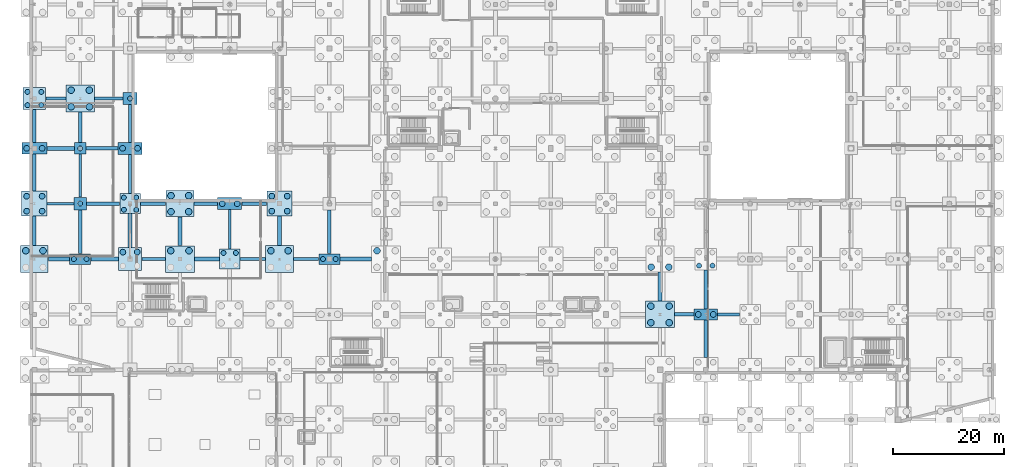
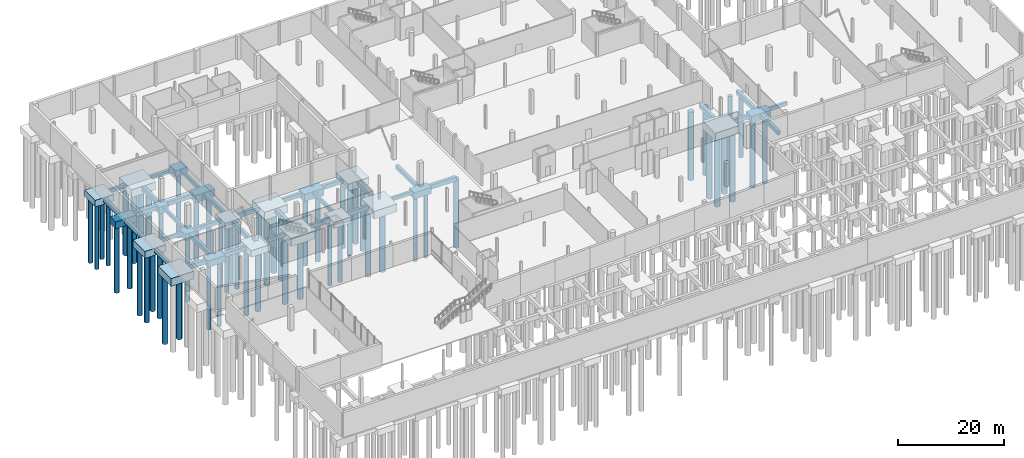
# One storey, part 6 of 60: 58 piles, 55 footings.
"""IFC4 building model written with IfcOpenShell, lengths in metres."""

from ifc_helpers import new_model, si_unit, direction, frame, origin, origin_2d, place, context, subcontext, project, spatial, rectangle, circle, extrude, material, material_profile, profile_set, type_object, element, save


model = new_model("IFC4")

# Units and contexts
model_context = context("Model", 3, precision=1e-05, world=origin(), true_north=direction((0.0, 1.0)))
body_context = subcontext(model_context, "Body", "Model", "MODEL_VIEW")
ifc_project = project(units=[si_unit("LENGTHUNIT", "METRE"), si_unit("AREAUNIT", "SQUARE_METRE"), si_unit("VOLUMEUNIT", "CUBIC_METRE"), si_unit("PLANEANGLEUNIT", "RADIAN"), si_unit("MASSUNIT", "GRAM", prefix="KILO")], contexts=[model_context])

# Site, building, storey
site_placement = place(None, origin())
site = spatial("IfcSite", under=ifc_project, at=site_placement, CompositionType="ELEMENT")
building_placement = place(site_placement, origin())
building = spatial("IfcBuilding", under=site, at=building_placement, Name="Trimount Lyric Opera House", CompositionType="ELEMENT")
storey_placement = place(building_placement, frame((0.0, 0.0, -5.39990234375)))
storey = spatial("IfcBuildingStorey", under=building, at=storey_placement, Name="B1", CompositionType="ELEMENT", Elevation=-5.39990234375)

# Footings
ifc_material_1 = material(Name="Concrete C40/50", Category="concrete")
footing_type_1 = type_object("IfcFootingType", Name="FB-01", PredefinedType="FOOTING_BEAM", material=ifc_material_1)
footing_1_placement = place(storey_placement, frame((5.159912109375, 64.0, -1.60009765625), z_axis=(0.0, 0.0, 1.0), x_axis=(1.0, 0.0, 0.0)))
element("IfcFooting", 1, at=footing_1_placement, inside=storey, type_object=footing_type_1, Name="Ground tie beam X-0012", PredefinedType="FOOTING_BEAM", context=body_context, shape_type="SweptSolid", body=[
    extrude(rectangle(XDim=3.85009765625, YDim=0.699951171875, at=origin_2d()), origin(), (0.0, 0.0, 1.0), 1.0),
])
footing_2_placement = place(storey_placement, frame((5.4599609375, 84.0, -1.60009765625), z_axis=(0.0, 0.0, 1.0), x_axis=(1.0, 0.0, 0.0)))
element("IfcFooting", 2, at=footing_2_placement, inside=storey, type_object=footing_type_1, Name="Ground tie beam X-0016", PredefinedType="FOOTING_BEAM", context=body_context, shape_type="SweptSolid", body=[
    extrude(rectangle(XDim=4.949951171875, YDim=0.699951171875, at=origin_2d()), origin(), (0.0, 0.0, 1.0), 1.0),
])
footing_3_placement = place(storey_placement, frame((9.0, 68.89990234375, -1.60009765625), z_axis=(0.0, 0.0, 1.0), x_axis=(1.0, 0.0, 0.0)))
element("IfcFooting", 3, at=footing_3_placement, inside=storey, type_object=footing_type_1, Name="Ground tie beam Y-0036", PredefinedType="FOOTING_BEAM", context=body_context, shape_type="SweptSolid", body=[
    extrude(rectangle(XDim=0.699951171875, YDim=7.8701171875, at=origin_2d()), origin(), (0.0, 0.0, 1.0), 1.0),
])
footing_4_placement = place(storey_placement, frame((9.0, 87.824951171875, -1.60009765625), z_axis=(0.0, 0.0, 1.0), x_axis=(1.0, 0.0, 0.0)))
element("IfcFooting", 4, at=footing_4_placement, inside=storey, type_object=footing_type_1, Name="Ground tie beam Y-0040", PredefinedType="FOOTING_BEAM", context=body_context, shape_type="SweptSolid", body=[
    extrude(rectangle(XDim=0.699951171875, YDim=5.52001953125, at=origin_2d()), origin(), (0.0, 0.0, 1.0), 1.0),
])
footing_5_placement = place(storey_placement, frame((22.14990234375, 74.0, -1.60009765625), z_axis=(0.0, 0.0, 1.0), x_axis=(1.0, 0.0, 0.0)))
element("IfcFooting", 5, at=footing_5_placement, inside=storey, type_object=footing_type_1, Name="Ground tie beam X-0056", PredefinedType="FOOTING_BEAM", context=body_context, shape_type="SweptSolid", body=[
    extrude(rectangle(XDim=4.570068359375, YDim=0.699951171875, at=origin_2d()), origin(), (0.0, 0.0, 1.0), 1.0),
])
footing_6_placement = place(storey_placement, frame((27.0, 69.02490234375, -1.60009765625), z_axis=(0.0, 0.0, 1.0), x_axis=(1.0, 0.0, 0.0)))
element("IfcFooting", 6, at=footing_6_placement, inside=storey, type_object=footing_type_1, Name="Ground tie beam Y-0072", PredefinedType="FOOTING_BEAM", context=body_context, shape_type="SweptSolid", body=[
    extrude(rectangle(XDim=0.699951171875, YDim=5.219970703125, at=origin_2d()), origin(), (0.0, 0.0, 1.0), 1.0),
])
footing_7_placement = place(storey_placement, frame((58.780029296875, 64.0, -1.60009765625), z_axis=(0.0, 0.0, 1.0), x_axis=(1.0, 0.0, 0.0)))
element("IfcFooting", 7, at=footing_7_placement, inside=storey, type_object=footing_type_1, Name="Ground tie beam X-0132", PredefinedType="FOOTING_BEAM", context=body_context, shape_type="SweptSolid", body=[
    extrude(rectangle(XDim=5.72998046875, YDim=0.699951171875, at=origin_2d()), origin(), (0.0, 0.0, 1.0), 1.0),
])
footing_8_placement = place(storey_placement, frame((113.739990234375, 59.02490234375, -1.60009765625), z_axis=(0.0, 0.0, 1.0), x_axis=(1.0, 0.0, 0.0)))
element("IfcFooting", 8, at=footing_8_placement, inside=storey, type_object=footing_type_1, Name="Ground tie beam Y-0276", PredefinedType="FOOTING_BEAM", context=body_context, shape_type="SweptSolid", body=[
    extrude(rectangle(XDim=0.699951171875, YDim=5.219970703125, at=origin_2d()), origin(), (0.0, 0.0, 1.0), 1.0),
])
ifc_material_2 = material(Name="Concrete C40/50", Category="concrete")
footing_type_2 = type_object("IfcFootingType", Name="FB-02", PredefinedType="FOOTING_BEAM", material=ifc_material_2)
footing_9_placement = place(storey_placement, frame((0.719970703125, 69.10009765625, -1.5), z_axis=(0.0, 0.0, 1.0), x_axis=(1.0, 0.0, 0.0)))
element("IfcFooting", 9, at=footing_9_placement, inside=storey, type_object=footing_type_2, Name="Ground tie beam Y-0013", PredefinedType="FOOTING_BEAM", context=body_context, shape_type="SweptSolid", body=[
    extrude(rectangle(XDim=0.60009765625, YDim=5.27001953125, at=origin_2d()), origin(), (0.0, 0.0, 1.0), 0.89990234375),
])
footing_10_placement = place(storey_placement, frame((0.719970703125, 88.02490234375, -1.5), z_axis=(0.0, 0.0, 1.0), x_axis=(1.0, 0.0, 0.0)))
element("IfcFooting", 10, at=footing_10_placement, inside=storey, type_object=footing_type_2, Name="Ground tie beam Y-0017", PredefinedType="FOOTING_BEAM", context=body_context, shape_type="SweptSolid", body=[
    extrude(rectangle(XDim=0.60009765625, YDim=5.919921875, at=origin_2d()), origin(), (0.0, 0.0, 1.0), 0.89990234375),
])
footing_11_placement = place(storey_placement, frame((13.14990234375, 74.0, -1.5), z_axis=(0.0, 0.0, 1.0), x_axis=(1.0, 0.0, 0.0)))
element("IfcFooting", 11, at=footing_11_placement, inside=storey, type_object=footing_type_2, Name="Ground tie beam X-0037", PredefinedType="FOOTING_BEAM", context=body_context, shape_type="SweptSolid", body=[
    extrude(rectangle(XDim=5.969970703125, YDim=0.60009765625, at=origin_2d()), origin(), (0.0, 0.0, 1.0), 0.89990234375),
])
footing_12_placement = place(storey_placement, frame((14.14990234375, 93.0, -1.5), z_axis=(0.0, 0.0, 1.0), x_axis=(1.0, 0.0, 0.0)))
element("IfcFooting", 12, at=footing_12_placement, inside=storey, type_object=footing_type_2, Name="Ground tie beam X-0041", PredefinedType="FOOTING_BEAM", context=body_context, shape_type="SweptSolid", body=[
    extrude(rectangle(XDim=5.070068359375, YDim=0.60009765625, at=origin_2d()), origin(), (0.0, 0.0, 1.0), 0.89990234375),
])
footing_13_placement = place(storey_placement, frame((18.0, 79.362548828125, -1.5), z_axis=(0.0, 0.0, 1.0), x_axis=(1.0, 0.0, 0.0)))
element("IfcFooting", 13, at=footing_13_placement, inside=storey, type_object=footing_type_2, Name="Ground tie beam Y-0057", PredefinedType="FOOTING_BEAM", context=body_context, shape_type="SweptSolid", body=[
    extrude(rectangle(XDim=0.60009765625, YDim=7.094970703125, at=origin_2d()), origin(), (0.0, 0.0, 1.0), 0.89990234375),
])
footing_14_placement = place(storey_placement, frame((31.6875, 74.0, -1.5), z_axis=(0.0, 0.0, 1.0), x_axis=(1.0, 0.0, 0.0)))
element("IfcFooting", 14, at=footing_14_placement, inside=storey, type_object=footing_type_2, Name="Ground tie beam X-0073", PredefinedType="FOOTING_BEAM", context=body_context, shape_type="SweptSolid", body=[
    extrude(rectangle(XDim=4.2451171875, YDim=0.60009765625, at=origin_2d()), origin(), (0.0, 0.0, 1.0), 0.89990234375),
])
footing_15_placement = place(storey_placement, frame((40.175048828125, 64.0, -1.5), z_axis=(0.0, 0.0, 1.0), x_axis=(1.0, 0.0, 0.0)))
element("IfcFooting", 15, at=footing_15_placement, inside=storey, type_object=footing_type_2, Name="Ground tie beam X-0085", PredefinedType="FOOTING_BEAM", context=body_context, shape_type="SweptSolid", body=[
    extrude(rectangle(XDim=4.6201171875, YDim=0.60009765625, at=origin_2d()), origin(), (0.0, 0.0, 1.0), 0.89990234375),
])
footing_16_placement = place(storey_placement, frame((54.0, 68.89990234375, -1.5), z_axis=(0.0, 0.0, 1.0), x_axis=(1.0, 0.0, 0.0)))
element("IfcFooting", 16, at=footing_16_placement, inside=storey, type_object=footing_type_2, Name="Ground tie beam Y-0133", PredefinedType="FOOTING_BEAM", context=body_context, shape_type="SweptSolid", body=[
    extrude(rectangle(XDim=0.60009765625, YDim=7.8701171875, at=origin_2d()), origin(), (0.0, 0.0, 1.0), 0.89990234375),
])
footing_17_placement = place(storey_placement, frame((122.0, 49.60009765625, -1.5), z_axis=(0.0, 0.0, 1.0), x_axis=(1.0, 0.0, 0.0)))
element("IfcFooting", 17, at=footing_17_placement, inside=storey, type_object=footing_type_2, Name="Ground tie beam Y-0297", PredefinedType="FOOTING_BEAM", context=body_context, shape_type="SweptSolid", body=[
    extrude(rectangle(XDim=0.60009765625, YDim=6.77001953125, at=origin_2d()), origin(), (0.0, 0.0, 1.0), 0.89990234375),
])
ifc_material_3 = material(Name="Concrete C40/50", Category="concrete")
footing_type_3 = type_object("IfcFootingType", Name="FB-03", PredefinedType="FOOTING_BEAM", material=ifc_material_3)
footing_18_placement = place(storey_placement, frame((5.43505859375, 74.0, -1.39990234375), z_axis=(0.0, 0.0, 1.0), x_axis=(1.0, 0.0, 0.0)))
element("IfcFooting", 18, at=footing_18_placement, inside=storey, type_object=footing_type_3, Name="Ground tie beam X-0014", PredefinedType="FOOTING_BEAM", context=body_context, shape_type="SweptSolid", body=[
    extrude(rectangle(XDim=4.800048828125, YDim=0.5, at=origin_2d()), origin(), (0.0, 0.0, 1.0), 0.800048828125),
])
footing_19_placement = place(storey_placement, frame((4.5849609375, 93.0, -1.39990234375), z_axis=(0.0, 0.0, 1.0), x_axis=(1.0, 0.0, 0.0)))
element("IfcFooting", 19, at=footing_19_placement, inside=storey, type_object=footing_type_3, Name="Ground tie beam X-0018", PredefinedType="FOOTING_BEAM", context=body_context, shape_type="SweptSolid", body=[
    extrude(rectangle(XDim=3.60009765625, YDim=0.5, at=origin_2d()), origin(), (0.0, 0.0, 1.0), 0.800048828125),
])
footing_20_placement = place(storey_placement, frame((9.0, 79.050048828125, -1.39990234375), z_axis=(0.0, 0.0, 1.0), x_axis=(1.0, 0.0, 0.0)))
element("IfcFooting", 20, at=footing_20_placement, inside=storey, type_object=footing_type_3, Name="Ground tie beam Y-0038", PredefinedType="FOOTING_BEAM", context=body_context, shape_type="SweptSolid", body=[
    extrude(rectangle(XDim=0.5, YDim=7.77001953125, at=origin_2d()), origin(), (0.0, 0.0, 1.0), 0.800048828125),
])
footing_21_placement = place(storey_placement, frame((22.25, 64.0, -1.39990234375), z_axis=(0.0, 0.0, 1.0), x_axis=(1.0, 0.0, 0.0)))
element("IfcFooting", 21, at=footing_21_placement, inside=storey, type_object=footing_type_3, Name="Ground tie beam X-0054", PredefinedType="FOOTING_BEAM", context=body_context, shape_type="SweptSolid", body=[
    extrude(rectangle(XDim=4.27001953125, YDim=0.5, at=origin_2d()), origin(), (0.0, 0.0, 1.0), 0.800048828125),
])
footing_22_placement = place(storey_placement, frame((18.0, 88.487548828125, -1.39990234375), z_axis=(0.0, 0.0, 1.0), x_axis=(1.0, 0.0, 0.0)))
element("IfcFooting", 22, at=footing_22_placement, inside=storey, type_object=footing_type_3, Name="Ground tie beam Y-0058", PredefinedType="FOOTING_BEAM", context=body_context, shape_type="SweptSolid", body=[
    extrude(rectangle(XDim=0.5, YDim=6.794921875, at=origin_2d()), origin(), (0.0, 0.0, 1.0), 0.800048828125),
])
footing_23_placement = place(storey_placement, frame((36.0, 69.362548828125, -1.39990234375), z_axis=(0.0, 0.0, 1.0), x_axis=(1.0, 0.0, 0.0)))
element("IfcFooting", 23, at=footing_23_placement, inside=storey, type_object=footing_type_3, Name="Ground tie beam Y-0086", PredefinedType="FOOTING_BEAM", context=body_context, shape_type="SweptSolid", body=[
    extrude(rectangle(XDim=0.5, YDim=7.094970703125, at=origin_2d()), origin(), (0.0, 0.0, 1.0), 0.800048828125),
])
footing_24_placement = place(storey_placement, frame((49.800048828125, 64.0, -1.39990234375), z_axis=(0.0, 0.0, 1.0), x_axis=(1.0, 0.0, 0.0)))
element("IfcFooting", 24, at=footing_24_placement, inside=storey, type_object=footing_type_3, Name="Ground tie beam X-0106", PredefinedType="FOOTING_BEAM", context=body_context, shape_type="SweptSolid", body=[
    extrude(rectangle(XDim=4.570068359375, YDim=0.5, at=origin_2d()), origin(), (0.0, 0.0, 1.0), 0.800048828125),
])
footing_25_placement = place(storey_placement, frame((126.14990234375, 54.0, -1.39990234375), z_axis=(0.0, 0.0, 1.0), x_axis=(1.0, 0.0, 0.0)))
element("IfcFooting", 25, at=footing_25_placement, inside=storey, type_object=footing_type_3, Name="Ground tie beam X-0298", PredefinedType="FOOTING_BEAM", context=body_context, shape_type="SweptSolid", body=[
    extrude(rectangle(XDim=3.969970703125, YDim=0.5, at=origin_2d()), origin(), (0.0, 0.0, 1.0), 0.800048828125),
])
ifc_material_4 = material(Name="Concrete C40/50", Category="concrete")
footing_type_4 = type_object("IfcFootingType", Name="FB-04", PredefinedType="FOOTING_BEAM", material=ifc_material_4)
footing_26_placement = place(storey_placement, frame((0.719970703125, 79.60009765625, -1.55029296875), z_axis=(0.0, 0.0, 1.0), x_axis=(1.0, 0.0, 0.0)))
element("IfcFooting", 26, at=footing_26_placement, inside=storey, type_object=footing_type_4, Name="Ground tie beam Y-0015", PredefinedType="FOOTING_BEAM", context=body_context, shape_type="SweptSolid", body=[
    extrude(rectangle(XDim=0.64990234375, YDim=6.669921875, at=origin_2d()), origin(), (0.0, 0.0, 1.0), 0.949951171875),
])
footing_27_placement = place(storey_placement, frame((13.39990234375, 64.0, -1.55029296875), z_axis=(0.0, 0.0, 1.0), x_axis=(1.0, 0.0, 0.0)))
element("IfcFooting", 27, at=footing_27_placement, inside=storey, type_object=footing_type_4, Name="Ground tie beam X-0035", PredefinedType="FOOTING_BEAM", context=body_context, shape_type="SweptSolid", body=[
    extrude(rectangle(XDim=4.969970703125, YDim=0.64990234375, at=origin_2d()), origin(), (0.0, 0.0, 1.0), 0.949951171875),
])
footing_28_placement = place(storey_placement, frame((12.9375, 84.0, -1.55029296875), z_axis=(0.0, 0.0, 1.0), x_axis=(1.0, 0.0, 0.0)))
element("IfcFooting", 28, at=footing_28_placement, inside=storey, type_object=footing_type_4, Name="Ground tie beam X-0039", PredefinedType="FOOTING_BEAM", context=body_context, shape_type="SweptSolid", body=[
    extrude(rectangle(XDim=5.7451171875, YDim=0.64990234375, at=origin_2d()), origin(), (0.0, 0.0, 1.0), 0.949951171875),
])
footing_29_placement = place(storey_placement, frame((18.0, 69.125, -1.55029296875), z_axis=(0.0, 0.0, 1.0), x_axis=(1.0, 0.0, 0.0)))
element("IfcFooting", 29, at=footing_29_placement, inside=storey, type_object=footing_type_4, Name="Ground tie beam Y-0055", PredefinedType="FOOTING_BEAM", context=body_context, shape_type="SweptSolid", body=[
    extrude(rectangle(XDim=0.64990234375, YDim=6.1201171875, at=origin_2d()), origin(), (0.0, 0.0, 1.0), 0.949951171875),
])
footing_30_placement = place(storey_placement, frame((31.875, 64.0, -1.55029296875), z_axis=(0.0, 0.0, 1.0), x_axis=(1.0, 0.0, 0.0)))
element("IfcFooting", 30, at=footing_30_placement, inside=storey, type_object=footing_type_4, Name="Ground tie beam X-0071", PredefinedType="FOOTING_BEAM", context=body_context, shape_type="SweptSolid", body=[
    extrude(rectangle(XDim=4.52001953125, YDim=0.64990234375, at=origin_2d()), origin(), (0.0, 0.0, 1.0), 0.949951171875),
])
footing_31_placement = place(storey_placement, frame((40.4375, 74.0, -1.55029296875), z_axis=(0.0, 0.0, 1.0), x_axis=(1.0, 0.0, 0.0)))
element("IfcFooting", 31, at=footing_31_placement, inside=storey, type_object=footing_type_4, Name="Ground tie beam X-0087", PredefinedType="FOOTING_BEAM", context=body_context, shape_type="SweptSolid", body=[
    extrude(rectangle(XDim=4.4951171875, YDim=0.64990234375, at=origin_2d()), origin(), (0.0, 0.0, 1.0), 0.949951171875),
])
footing_32_placement = place(storey_placement, frame((45.0, 69.10009765625, -1.55029296875), z_axis=(0.0, 0.0, 1.0), x_axis=(1.0, 0.0, 0.0)))
element("IfcFooting", 32, at=footing_32_placement, inside=storey, type_object=footing_type_4, Name="Ground tie beam Y-0107", PredefinedType="FOOTING_BEAM", context=body_context, shape_type="SweptSolid", body=[
    extrude(rectangle(XDim=0.64990234375, YDim=5.27001953125, at=origin_2d()), origin(), (0.0, 0.0, 1.0), 0.949951171875),
])
footing_33_placement = place(storey_placement, frame((118.094970703125, 54.0, -1.55029296875), z_axis=(0.0, 0.0, 1.0), x_axis=(1.0, 0.0, 0.0)))
element("IfcFooting", 33, at=footing_33_placement, inside=storey, type_object=footing_type_4, Name="Ground tie beam X-0275", PredefinedType="FOOTING_BEAM", context=body_context, shape_type="SweptSolid", body=[
    extrude(rectangle(XDim=3.47998046875, YDim=0.64990234375, at=origin_2d()), origin(), (0.0, 0.0, 1.0), 0.949951171875),
])
footing_34_placement = place(storey_placement, frame((122.0, 58.52490234375, -1.55029296875), z_axis=(0.0, 0.0, 1.0), x_axis=(1.0, 0.0, 0.0)))
element("IfcFooting", 34, at=footing_34_placement, inside=storey, type_object=footing_type_4, Name="Ground tie beam Y-0299", PredefinedType="FOOTING_BEAM", context=body_context, shape_type="SweptSolid", body=[
    extrude(rectangle(XDim=0.64990234375, YDim=7.02001953125, at=origin_2d()), origin(), (0.0, 0.0, 1.0), 0.949951171875),
])
ifc_material_5 = material(Name="Concrete C40/50", Category="concrete")
footing_type_5 = type_object("IfcFootingType", Name="PC-05", PredefinedType="PILE_CAP", material=ifc_material_5)
footing_35_placement = place(storey_placement, frame((122.0, 54.0, -2.2001953125), z_axis=(0.0, 0.0, 1.0), x_axis=(1.0, 0.0, 0.0)))
element("IfcFooting", 35, at=footing_35_placement, inside=storey, type_object=footing_type_5, Name="Pile cap 14/G", PredefinedType="PILE_CAP", context=body_context, shape_type="SweptSolid", body=[
    extrude(rectangle(XDim=4.300048828125, YDim=2.0, at=origin_2d()), origin(), (0.0, 0.0, 1.0), 1.60009765625),
])
ifc_material_6 = material(Name="Concrete C40/50", Category="concrete")
footing_type_6 = type_object("IfcFootingType", Name="PC-07", PredefinedType="PILE_CAP", material=ifc_material_6)
for number, where, z_axis, x_axis, name in (
    (36, (9.0, 64.0, -2.10009765625), (0.0, 0.0, 1.0), (1.0, 0.0, 0.0), "Pile cap 2/H"),
    (37, (54.0, 64.0, -2.10009765625), (0.0, 0.0, 1.0), (1.0, 0.0, 0.0), "Pile cap 7/H"),
):
    element("IfcFooting", number, at=place(storey_placement, frame(where, z_axis=z_axis, x_axis=x_axis)), inside=storey, type_object=footing_type_6, Name=name, PredefinedType="PILE_CAP", context=body_context, shape_type="SweptSolid", body=[
        extrude(rectangle(XDim=3.800048828125, YDim=1.89990234375, at=origin_2d()), origin(), (0.0, 0.0, 1.0), 1.5),
    ])
ifc_material_7 = material(Name="Concrete C40/50", Category="concrete")
footing_type_7 = type_object("IfcFootingType", Name="PC-08", PredefinedType="PILE_CAP", material=ifc_material_7)
footing_36_placement = place(storey_placement, frame((9.0, 74.0, -2.10009765625), z_axis=(0.0, 0.0, 1.0), x_axis=(1.0, 0.0, 0.0)))
element("IfcFooting", 38, at=footing_36_placement, inside=storey, type_object=footing_type_7, Name="Pile cap 2/J", PredefinedType="PILE_CAP", context=body_context, shape_type="SweptSolid", body=[
    extrude(rectangle(XDim=2.300048828125, YDim=2.300048828125, at=origin_2d()), origin(), (0.0, 0.0, 1.0), 1.5),
])
ifc_material_8 = material(Name="Concrete C40/50", Category="concrete")
footing_type_8 = type_object("IfcFootingType", Name="PC-09", PredefinedType="PILE_CAP", material=ifc_material_8)
footing_37_placement = place(storey_placement, frame((9.0, 84.0, -2.10009765625), z_axis=(0.0, 0.0, 1.0), x_axis=(1.0, 0.0, 0.0)))
element("IfcFooting", 39, at=footing_37_placement, inside=storey, type_object=footing_type_8, Name="Pile cap 2/K", PredefinedType="PILE_CAP", context=body_context, shape_type="SweptSolid", body=[
    extrude(rectangle(XDim=2.10009765625, YDim=2.10009765625, at=origin_2d()), origin(), (0.0, 0.0, 1.0), 1.5),
])
ifc_material_9 = material(Name="Concrete C40/50", Category="concrete")
footing_type_9 = type_object("IfcFootingType", Name="PC-10", PredefinedType="PILE_CAP", material=ifc_material_9)
for number, where, z_axis, x_axis, name in (
    (40, (9.0, 93.0, -2.39990234375), (0.0, 0.0, 1.0), (1.0, 0.0, 0.0), "Pile cap 2/L"),
    (41, (27.0, 64.0, -2.39990234375), (0.0, 0.0, 1.0), (1.0, 0.0, 0.0), "Pile cap 4/H"),
    (42, (113.739990234375, 54.0, -2.39990234375), (0.0, 0.0, 1.0), (1.0, 0.0, 0.0), "Pile cap 13/G"),
):
    element("IfcFooting", number, at=place(storey_placement, frame(where, z_axis=z_axis, x_axis=x_axis)), inside=storey, type_object=footing_type_9, Name=name, PredefinedType="PILE_CAP", context=body_context, shape_type="SweptSolid", body=[
        extrude(rectangle(XDim=5.199951171875, YDim=4.800048828125, at=origin_2d()), origin(), (0.0, 0.0, 1.0), 1.800048828125),
    ])
ifc_material_10 = material(Name="Concrete C40/50", Category="concrete")
footing_type_10 = type_object("IfcFootingType", Name="PC-11", PredefinedType="PILE_CAP", material=ifc_material_10)
footing_38_placement = place(storey_placement, frame((27.0, 74.0, -2.39990234375), z_axis=(0.0, 0.0, 1.0), x_axis=(1.0, 0.0, 0.0)))
element("IfcFooting", 43, at=footing_38_placement, inside=storey, type_object=footing_type_10, Name="Pile cap 4/J", PredefinedType="PILE_CAP", context=body_context, shape_type="SweptSolid", body=[
    extrude(rectangle(XDim=5.10009765625, YDim=4.699951171875, at=origin_2d()), origin(), (0.0, 0.0, 1.0), 1.800048828125),
])
ifc_material_11 = material(Name="Concrete C40/50", Category="concrete")
footing_type_11 = type_object("IfcFootingType", Name="PC-12", PredefinedType="PILE_CAP", material=ifc_material_11)
for number, where, z_axis, x_axis, name in (
    (44, (0.719970703125, 64.0, -2.39990234375), (0.0, 0.0, 1.0), (1.0, 0.0, 0.0), "Pile cap 1/H"),
    (45, (45.0, 64.0, -2.39990234375), (0.0, 0.0, 1.0), (1.0, 0.0, 0.0), "Pile cap 6/H"),
):
    element("IfcFooting", number, at=place(storey_placement, frame(where, z_axis=z_axis, x_axis=x_axis)), inside=storey, type_object=footing_type_11, Name=name, PredefinedType="PILE_CAP", context=body_context, shape_type="SweptSolid", body=[
        extrude(rectangle(XDim=5.0, YDim=4.89990234375, at=origin_2d()), origin(), (0.0, 0.0, 1.0), 1.800048828125),
    ])
ifc_material_12 = material(Name="Concrete C40/50", Category="concrete")
footing_type_12 = type_object("IfcFootingType", Name="PC-13", PredefinedType="PILE_CAP", material=ifc_material_12)
for number, where, z_axis, x_axis, name in (
    (46, (0.719970703125, 74.0, -2.2001953125), (0.0, 0.0, 1.0), (1.0, 0.0, 0.0), "Pile cap 1/J"),
    (47, (45.0, 74.0, -2.2001953125), (0.0, 0.0, 1.0), (1.0, 0.0, 0.0), "Pile cap 6/J"),
):
    element("IfcFooting", number, at=place(storey_placement, frame(where, z_axis=z_axis, x_axis=x_axis)), inside=storey, type_object=footing_type_12, Name=name, PredefinedType="PILE_CAP", context=body_context, shape_type="SweptSolid", body=[
        extrude(rectangle(XDim=4.60009765625, YDim=4.5, at=origin_2d()), origin(), (0.0, 0.0, 1.0), 1.60009765625),
    ])
ifc_material_13 = material(Name="Concrete C40/50", Category="concrete")
footing_type_13 = type_object("IfcFootingType", Name="PC-14", PredefinedType="PILE_CAP", material=ifc_material_13)
footing_39_placement = place(storey_placement, frame((0.719970703125, 84.0, -2.2001953125), z_axis=(0.0, 0.0, 1.0), x_axis=(1.0, 0.0, 0.0)))
element("IfcFooting", 48, at=footing_39_placement, inside=storey, type_object=footing_type_13, Name="Pile cap 1/K", PredefinedType="PILE_CAP", context=body_context, shape_type="SweptSolid", body=[
    extrude(rectangle(XDim=4.5, YDim=2.10009765625, at=origin_2d()), origin(), (0.0, 0.0, 1.0), 1.60009765625),
])
ifc_material_14 = material(Name="Concrete C40/50", Category="concrete")
footing_type_14 = type_object("IfcFootingType", Name="PC-15", PredefinedType="PILE_CAP", material=ifc_material_14)
footing_40_placement = place(storey_placement, frame((0.719970703125, 93.0, -2.10009765625), z_axis=(0.0, 0.0, 1.0), x_axis=(1.0, 0.0, 0.0)))
element("IfcFooting", 49, at=footing_40_placement, inside=storey, type_object=footing_type_14, Name="Pile cap 1/L", PredefinedType="PILE_CAP", context=body_context, shape_type="SweptSolid", body=[
    extrude(rectangle(XDim=4.10009765625, YDim=4.0, at=origin_2d()), origin(), (0.0, 0.0, 1.0), 1.5),
])
ifc_material_15 = material(Name="Concrete C40/50", Category="concrete")
footing_type_15 = type_object("IfcFootingType", Name="PC-18", PredefinedType="PILE_CAP", material=ifc_material_15)
footing_41_placement = place(storey_placement, frame((18.0, 64.0, -2.14990234375), z_axis=(0.0, 0.0, 1.0), x_axis=(1.0, 0.0, 0.0)))
element("IfcFooting", 50, at=footing_41_placement, inside=storey, type_object=footing_type_15, Name="Pile cap 3/H", PredefinedType="PILE_CAP", context=body_context, shape_type="SweptSolid", body=[
    extrude(rectangle(XDim=4.199951171875, YDim=4.10009765625, at=origin_2d()), origin(), (0.0, 0.0, 1.0), 1.550048828125),
])
ifc_material_16 = material(Name="Concrete C40/50", Category="concrete")
footing_type_16 = type_object("IfcFootingType", Name="PC-19", PredefinedType="PILE_CAP", material=ifc_material_16)
for number, where, z_axis, x_axis, name in (
    (51, (18.0, 74.0, -2.05029296875), (0.0, 0.0, 1.0), (1.0, 0.0, 0.0), "Pile cap 3/J"),
    (52, (36.0, 64.0, -2.05029296875), (0.0, 0.0, 1.0), (1.0, 0.0, 0.0), "Pile cap 5/H"),
):
    element("IfcFooting", number, at=place(storey_placement, frame(where, z_axis=z_axis, x_axis=x_axis)), inside=storey, type_object=footing_type_16, Name=name, PredefinedType="PILE_CAP", context=body_context, shape_type="SweptSolid", body=[
        extrude(rectangle(XDim=3.699951171875, YDim=3.60009765625, at=origin_2d()), origin(), (0.0, 0.0, 1.0), 1.449951171875),
    ])
ifc_material_17 = material(Name="Concrete C40/50", Category="concrete")
footing_type_17 = type_object("IfcFootingType", Name="PC-20", PredefinedType="PILE_CAP", material=ifc_material_17)
for number, where, z_axis, x_axis, name in (
    (53, (18.0, 84.0, -2.25), (0.0, 0.0, 1.0), (1.0, 0.0, 0.0), "Pile cap 3/K"),
    (54, (36.0, 74.0, -2.25), (0.0, 0.0, 1.0), (1.0, 0.0, 0.0), "Pile cap 5/J"),
):
    element("IfcFooting", number, at=place(storey_placement, frame(where, z_axis=z_axis, x_axis=x_axis)), inside=storey, type_object=footing_type_17, Name=name, PredefinedType="PILE_CAP", context=body_context, shape_type="SweptSolid", body=[
        extrude(rectangle(XDim=4.35009765625, YDim=2.14990234375, at=origin_2d()), origin(), (0.0, 0.0, 1.0), 1.64990234375),
    ])
ifc_material_18 = material(Name="Concrete C40/50", Category="concrete")
footing_type_18 = type_object("IfcFootingType", Name="PC-21", PredefinedType="PILE_CAP", material=ifc_material_18)
footing_42_placement = place(storey_placement, frame((18.0, 93.0, -2.05029296875), z_axis=(0.0, 0.0, 1.0), x_axis=(1.0, 0.0, 0.0)))
element("IfcFooting", 55, at=footing_42_placement, inside=storey, type_object=footing_type_18, Name="Pile cap 3/L", PredefinedType="PILE_CAP", context=body_context, shape_type="SweptSolid", body=[
    extrude(rectangle(XDim=2.60009765625, YDim=2.199951171875, at=origin_2d()), origin(), (0.0, 0.0, 1.0), 1.449951171875),
])

# Piles
ifc_material_19 = material(Name="Concrete C40/50", Category="concrete")
ifc_material_profile_1 = material_profile(ifc_material_19, circle(Radius=0.52490234375, at=origin_2d()), Name="PILE-D1050")
ifc_profile_set_1 = profile_set([ifc_material_profile_1], Name="Concrete C40/50")
pile_type_1 = type_object("IfcPileType", Name="PL-1050", PredefinedType="BORED", material=ifc_profile_set_1)
for number, where, z_axis, x_axis, name in (
    (56, (-0.679931640625, 72.64990234375, -2.10009765625), (0.0, 0.0, -1.0), (1.0, 0.0, 0.0), "Bored pile 0023"),
    (57, (2.1201171875, 72.64990234375, -2.10009765625), (0.0, 0.0, -1.0), (1.0, 0.0, 0.0), "Bored pile 0024"),
    (58, (-0.679931640625, 75.35009765625, -2.10009765625), (0.0, 0.0, -1.0), (1.0, 0.0, 0.0), "Bored pile 0025"),
    (59, (2.1201171875, 75.35009765625, -2.10009765625), (0.0, 0.0, -1.0), (1.0, 0.0, 0.0), "Bored pile 0026"),
    (60, (-0.679931640625, 84.0, -2.10009765625), (0.0, 0.0, -1.0), (1.0, 0.0, 0.0), "Bored pile 0027"),
    (61, (2.1201171875, 84.0, -2.10009765625), (0.0, 0.0, -1.0), (1.0, 0.0, 0.0), "Bored pile 0028"),
    (62, (16.699951171875, 65.25, -2.050048828125), (0.0, 0.0, -1.0), (1.0, 0.0, 0.0), "Bored pile 0093"),
    (63, (19.300048828125, 65.25, -2.050048828125), (0.0, 0.0, -1.0), (1.0, 0.0, 0.0), "Bored pile 0094"),
    (64, (16.64990234375, 84.0, -2.150146484375), (0.0, 0.0, -1.0), (1.0, 0.0, 0.0), "Bored pile 0099"),
    (65, (19.35009765625, 84.0, -2.150146484375), (0.0, 0.0, -1.0), (1.0, 0.0, 0.0), "Bored pile 0100"),
    (66, (34.64990234375, 74.0, -2.150146484375), (0.0, 0.0, -1.0), (1.0, 0.0, 0.0), "Bored pile 0156"),
    (67, (37.35009765625, 74.0, -2.150146484375), (0.0, 0.0, -1.0), (1.0, 0.0, 0.0), "Bored pile 0157"),
    (68, (43.60009765625, 72.64990234375, -2.10009765625), (0.0, 0.0, -1.0), (1.0, 0.0, 0.0), "Bored pile 0190"),
    (69, (46.39990234375, 72.64990234375, -2.10009765625), (0.0, 0.0, -1.0), (1.0, 0.0, 0.0), "Bored pile 0191"),
    (70, (43.60009765625, 75.35009765625, -2.10009765625), (0.0, 0.0, -1.0), (1.0, 0.0, 0.0), "Bored pile 0192"),
    (71, (46.39990234375, 75.35009765625, -2.10009765625), (0.0, 0.0, -1.0), (1.0, 0.0, 0.0), "Bored pile 0193"),
    (72, (120.64990234375, 54.0, -2.10009765625), (0.0, 0.0, -1.0), (1.0, 0.0, 0.0), "Bored pile 0516"),
    (73, (123.35009765625, 54.0, -2.10009765625), (0.0, 0.0, -1.0), (1.0, 0.0, 0.0), "Bored pile 0517"),
):
    element("IfcPile", number, at=place(storey_placement, frame(where, z_axis=z_axis, x_axis=x_axis)), inside=storey, type_object=pile_type_1, Name=name, PredefinedType="BORED", context=body_context, shape_type="SweptSolid", body=[
        extrude(circle(Radius=0.52490234375, at=origin_2d()), origin(), (0.0, 0.0, 1.0), 15.5),
    ])
ifc_material_20 = material(Name="Concrete C40/50", Category="concrete")
ifc_material_profile_2 = material_profile(ifc_material_20, circle(Radius=0.60009765625, at=origin_2d()), Name="PILE-D1200")
ifc_profile_set_2 = profile_set([ifc_material_profile_2], Name="Concrete C40/50")
pile_type_2 = type_object("IfcPileType", Name="PL-1200", PredefinedType="BORED", material=ifc_profile_set_2)
for number, where, z_axis, x_axis, name in (
    (74, (-0.830078125, 65.5, -2.300048828125), (0.0, 0.0, -1.0), (1.0, 0.0, 0.0), "Bored pile 0021"),
    (75, (2.27001953125, 65.5, -2.300048828125), (0.0, 0.0, -1.0), (1.0, 0.0, 0.0), "Bored pile 0022"),
    (76, (7.35009765625, 91.5, -2.300048828125), (0.0, 0.0, -1.0), (1.0, 0.0, 0.0), "Bored pile 0064"),
    (77, (10.64990234375, 91.5, -2.300048828125), (0.0, 0.0, -1.0), (1.0, 0.0, 0.0), "Bored pile 0065"),
    (78, (7.35009765625, 94.5, -2.300048828125), (0.0, 0.0, -1.0), (1.0, 0.0, 0.0), "Bored pile 0066"),
    (79, (10.64990234375, 94.5, -2.300048828125), (0.0, 0.0, -1.0), (1.0, 0.0, 0.0), "Bored pile 0067"),
    (80, (25.35009765625, 65.5, -2.300048828125), (0.0, 0.0, -1.0), (1.0, 0.0, 0.0), "Bored pile 0123"),
    (81, (28.64990234375, 65.5, -2.300048828125), (0.0, 0.0, -1.0), (1.0, 0.0, 0.0), "Bored pile 0124"),
    (82, (25.39990234375, 72.550048828125, -2.300048828125), (0.0, 0.0, -1.0), (1.0, 0.0, 0.0), "Bored pile 0125"),
    (83, (28.60009765625, 72.550048828125, -2.300048828125), (0.0, 0.0, -1.0), (1.0, 0.0, 0.0), "Bored pile 0126"),
    (84, (25.39990234375, 75.449951171875, -2.300048828125), (0.0, 0.0, -1.0), (1.0, 0.0, 0.0), "Bored pile 0127"),
    (85, (28.60009765625, 75.449951171875, -2.300048828125), (0.0, 0.0, -1.0), (1.0, 0.0, 0.0), "Bored pile 0128"),
    (86, (43.449951171875, 65.5, -2.300048828125), (0.0, 0.0, -1.0), (1.0, 0.0, 0.0), "Bored pile 0188"),
    (87, (46.550048828125, 65.5, -2.300048828125), (0.0, 0.0, -1.0), (1.0, 0.0, 0.0), "Bored pile 0189"),
    (88, (62.610107421875, 65.5, -2.300048828125), (0.0, 0.0, -1.0), (1.0, 0.0, 0.0), "Bored pile 0273"),
    (89, (112.090087890625, 52.5, -2.300048828125), (0.0, 0.0, -1.0), (1.0, 0.0, 0.0), "Bored pile 0472"),
    (90, (115.389892578125, 52.5, -2.300048828125), (0.0, 0.0, -1.0), (1.0, 0.0, 0.0), "Bored pile 0473"),
    (91, (112.090087890625, 55.5, -2.300048828125), (0.0, 0.0, -1.0), (1.0, 0.0, 0.0), "Bored pile 0474"),
    (92, (115.389892578125, 55.5, -2.300048828125), (0.0, 0.0, -1.0), (1.0, 0.0, 0.0), "Bored pile 0475"),
    (93, (112.139892578125, 62.550048828125, -2.300048828125), (0.0, 0.0, -1.0), (1.0, 0.0, 0.0), "Bored pile 0476"),
    (94, (115.340087890625, 62.550048828125, -2.300048828125), (0.0, 0.0, -1.0), (1.0, 0.0, 0.0), "Bored pile 0477"),
):
    element("IfcPile", number, at=place(storey_placement, frame(where, z_axis=z_axis, x_axis=x_axis)), inside=storey, type_object=pile_type_2, Name=name, PredefinedType="BORED", context=body_context, shape_type="SweptSolid", body=[
        extrude(circle(Radius=0.60009765625, at=origin_2d()), origin(), (0.0, 0.0, 1.0), 15.800048828125),
    ])
ifc_material_21 = material(Name="Concrete C40/50", Category="concrete")
ifc_material_profile_3 = material_profile(ifc_material_21, circle(Radius=0.449951171875, at=origin_2d()), Name="PILE-D900")
ifc_profile_set_3 = profile_set([ifc_material_profile_3], Name="Concrete C40/50")
pile_type_3 = type_object("IfcPileType", Name="PL-900", PredefinedType="BORED", material=ifc_profile_set_3)
for number, where, z_axis, x_axis, name in (
    (95, (-0.530029296875, 91.800048828125, -2.0), (0.0, 0.0, -1.0), (1.0, 0.0, 0.0), "Bored pile 0029"),
    (96, (1.969970703125, 91.800048828125, -2.0), (0.0, 0.0, -1.0), (1.0, 0.0, 0.0), "Bored pile 0030"),
    (97, (-0.530029296875, 94.199951171875, -2.0), (0.0, 0.0, -1.0), (1.0, 0.0, 0.0), "Bored pile 0031"),
    (98, (1.969970703125, 94.199951171875, -2.0), (0.0, 0.0, -1.0), (1.0, 0.0, 0.0), "Bored pile 0032"),
    (99, (7.85009765625, 64.0, -2.0), (0.0, 0.0, -1.0), (1.0, 0.0, 0.0), "Bored pile 0060"),
    (100, (10.14990234375, 64.0, -2.0), (0.0, 0.0, -1.0), (1.0, 0.0, 0.0), "Bored pile 0061"),
    (101, (9.0, 74.0, -2.0), (0.0, 0.0, -1.0), (1.0, 0.0, 0.0), "Bored pile 0062"),
    (102, (9.0, 84.0, -2.0), (0.0, 0.0, -1.0), (1.0, 0.0, 0.0), "Bored pile 0063"),
    (103, (16.8798828125, 72.89990234375, -1.9501953125), (0.0, 0.0, -1.0), (1.0, 0.0, 0.0), "Bored pile 0095"),
    (104, (19.1201171875, 72.89990234375, -1.9501953125), (0.0, 0.0, -1.0), (1.0, 0.0, 0.0), "Bored pile 0096"),
    (105, (16.8798828125, 75.10009765625, -1.9501953125), (0.0, 0.0, -1.0), (1.0, 0.0, 0.0), "Bored pile 0097"),
    (106, (19.1201171875, 75.10009765625, -1.9501953125), (0.0, 0.0, -1.0), (1.0, 0.0, 0.0), "Bored pile 0098"),
    (107, (18.0, 93.0, -1.9501953125), (0.0, 0.0, -1.0), (1.0, 0.0, 0.0), "Bored pile 0101"),
    (108, (34.8798828125, 65.10009765625, -1.9501953125), (0.0, 0.0, -1.0), (1.0, 0.0, 0.0), "Bored pile 0154"),
    (109, (37.1201171875, 65.10009765625, -1.9501953125), (0.0, 0.0, -1.0), (1.0, 0.0, 0.0), "Bored pile 0155"),
    (110, (52.85009765625, 64.0, -2.0), (0.0, 0.0, -1.0), (1.0, 0.0, 0.0), "Bored pile 0230"),
    (111, (55.14990234375, 64.0, -2.0), (0.0, 0.0, -1.0), (1.0, 0.0, 0.0), "Bored pile 0231"),
    (112, (120.800048828125, 62.800048828125, -2.0), (0.0, 0.0, -1.0), (1.0, 0.0, 0.0), "Bored pile 0518"),
    (113, (123.199951171875, 62.800048828125, -2.0), (0.0, 0.0, -1.0), (1.0, 0.0, 0.0), "Bored pile 0519"),
):
    element("IfcPile", number, at=place(storey_placement, frame(where, z_axis=z_axis, x_axis=x_axis)), inside=storey, type_object=pile_type_3, Name=name, PredefinedType="BORED", context=body_context, shape_type="SweptSolid", body=[
        extrude(circle(Radius=0.449951171875, at=origin_2d()), origin(), (0.0, 0.0, 1.0), 15.0),
    ])

save(model, "model.ifc")
